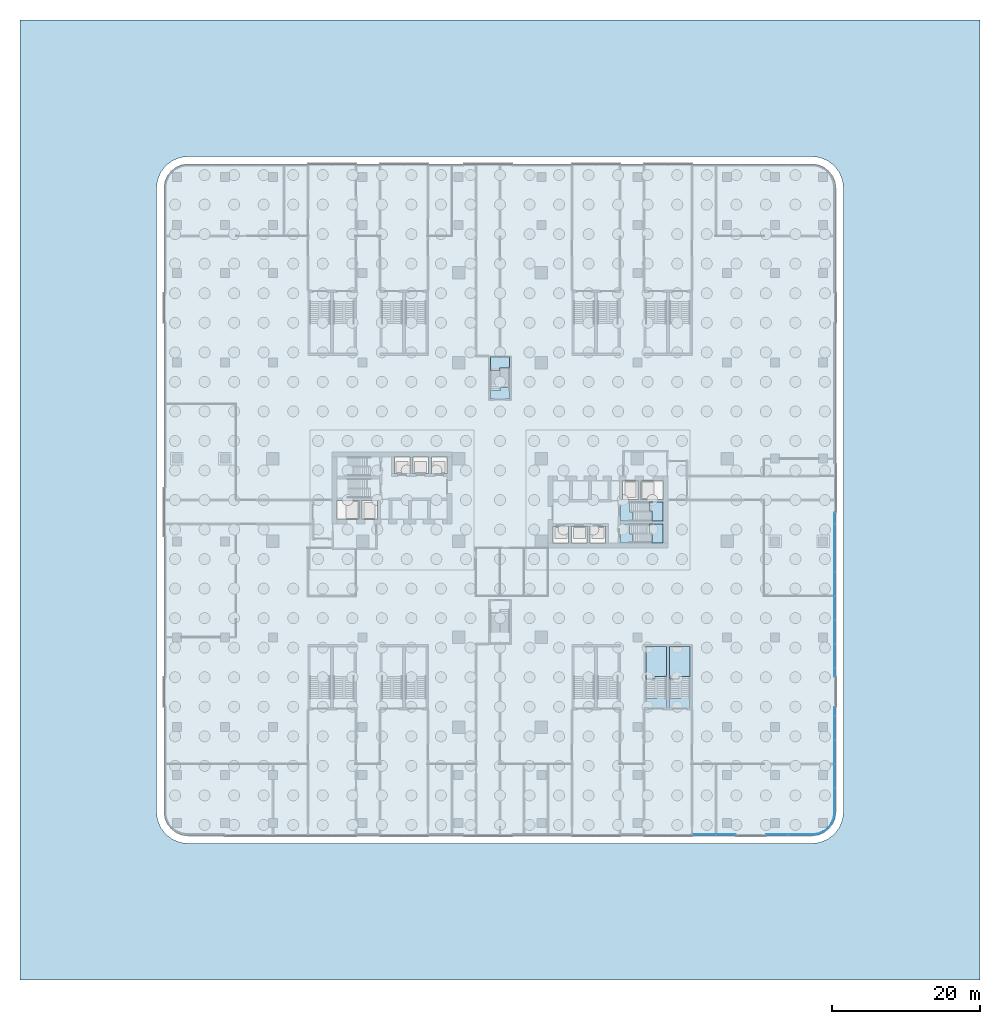
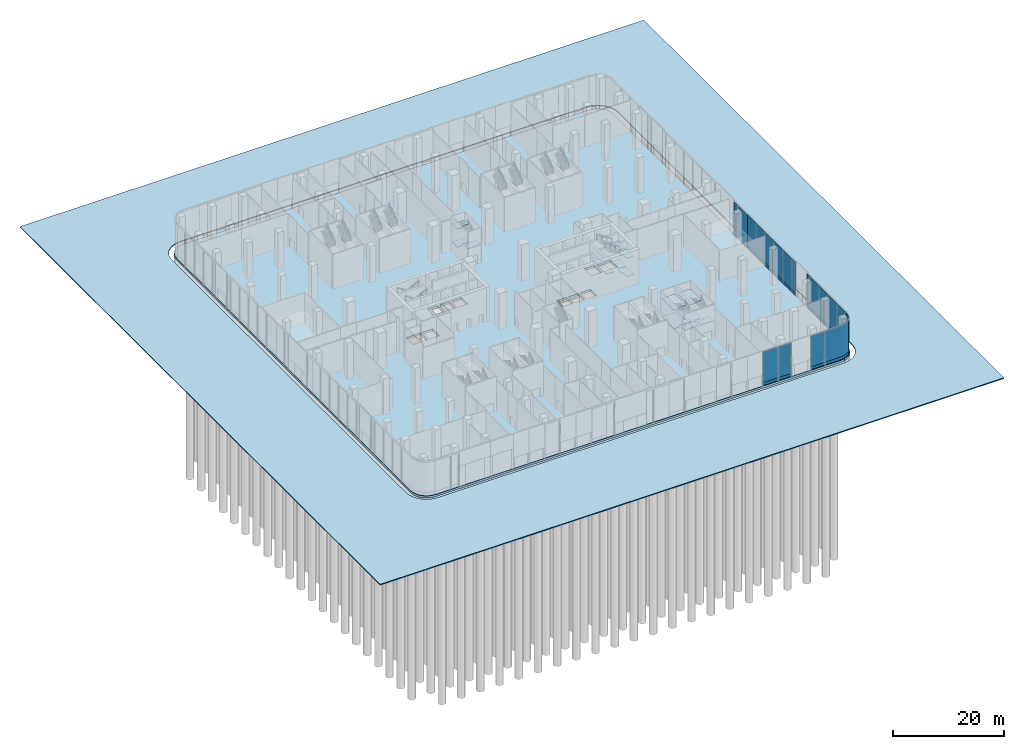
# One storey, part 14 of 27: 17 slabs, 9 plates, 10 elements without a shape of their own.
"""IFC4 building model written with IfcOpenShell, lengths in metres."""

from ifc_helpers import new_model, si_unit, direction, frame, origin, place, context, subcontext, project, spatial, polyline, outline, extrude, source, transform, mapped, material, layer, layer_set, type_object, element, aggregate, save


model = new_model("IFC4")

# Units and contexts
model_context = context("Model", 3, precision=1e-05, world=origin(), true_north=direction((0.0, 1.0)))
body_context = subcontext(model_context, "Body", "Model", "MODEL_VIEW")
ifc_project = project(units=[si_unit("LENGTHUNIT", "METRE"), si_unit("AREAUNIT", "SQUARE_METRE"), si_unit("VOLUMEUNIT", "CUBIC_METRE"), si_unit("PLANEANGLEUNIT", "RADIAN"), si_unit("MASSUNIT", "GRAM", prefix="KILO")], contexts=[model_context])

# Site, building, storey
site_placement = place(None, origin())
site = spatial("IfcSite", under=ifc_project, at=site_placement, CompositionType="ELEMENT")
building_placement = place(site_placement, origin())
building = spatial("IfcBuilding", under=site, at=building_placement, Name="Trellis Farm Tower", CompositionType="ELEMENT")
storey_placement = place(building_placement, origin())
storey = spatial("IfcBuildingStorey", under=building, at=storey_placement, Name="L00", CompositionType="ELEMENT", Elevation=0.0)

# Stair, slab
ifc_material_1 = material(Name="Concrete C50/60", Category="concrete")
stair_type_1 = type_object("IfcStairType", Name="PODIUM EXIT STAIR 48 RISERS 167 MM 1250 WIDE", PredefinedType="HALF_TURN_STAIR", material=ifc_material_1)
placement_1 = place(storey_placement, origin())
stair_1 = element("IfcStair", 1, at=placement_1, inside=storey, type_object=stair_type_1, Name="Podium exit stair STP8A", PredefinedType="HALF_TURN_STAIR")
ifc_layer_1 = layer(ifc_material_1, 0.179931640625)
ifc_layer_set_1 = layer_set([ifc_layer_1], Name="CORE STAIR LANDING 180 CONCRETE C50/60")
slab_type_1 = type_object("IfcSlabType", Name="CORE STAIR LANDING 180 CONCRETE C50/60", PredefinedType="LANDING", material=ifc_layer_set_1)
placement_2 = place(storey_placement, frame((0.0, 0.0, 3.820068359375)))
slab_1 = element("IfcSlab", 2, at=placement_2, type_object=slab_type_1, Name="STP8A landing 2", PredefinedType="LANDING", context=body_context, shape_type="SweptSolid", body=[
    extrude(outline(polyline([(22.530029296875, -28.14990234375), (19.75, -28.14990234375), (19.75, -26.89990234375), (19.75, -26.889892578125), (21.0, -26.889892578125), (21.0, -26.89990234375), (21.280029296875, -26.89990234375), (21.280029296875, -26.53759765625), (22.530029296875, -26.53759765625), (22.530029296875, -26.89990234375), (22.530029296875, -28.14990234375)])), origin(), (0.0, 0.0, 1.0), 0.179931640625),
])

stair_2 = element("IfcStair", 3, at=placement_1, inside=storey, type_object=stair_type_1, Name="Podium exit stair STP8B", PredefinedType="HALF_TURN_STAIR")
slab_2 = element("IfcSlab", 4, at=placement_2, type_object=slab_type_1, Name="STP8B landing 2", PredefinedType="LANDING", context=body_context, shape_type="SweptSolid", body=[
    extrude(outline(polyline([(25.75, -28.14990234375), (22.969970703125, -28.14990234375), (22.969970703125, -26.89990234375), (22.969970703125, -26.889892578125), (24.219970703125, -26.889892578125), (24.219970703125, -26.89990234375), (24.5, -26.89990234375), (24.5, -26.53759765625), (25.75, -26.53759765625), (25.75, -26.89990234375), (25.75, -28.14990234375)])), origin(), (0.0, 0.0, 1.0), 0.179931640625),
])

# Curtain wall, plate
ifc_material_2 = material(Name="Aluminium and glass curtain wall", Category="aluminium")
ifc_layer_2 = layer(ifc_material_2, 0.201904296875)
ifc_layer_set_2 = layer_set([ifc_layer_2], Name="SHOPFRONT CURTAIN WALL CW2")
curtain_wall_type_1 = type_object("IfcCurtainWallType", Name="SHOPFRONT CURTAIN WALL CW2", PredefinedType="NOTDEFINED", material=ifc_layer_set_2)
curtain_wall_1 = element("IfcCurtainWall", 5, at=placement_1, inside=storey, type_object=curtain_wall_type_1, Name="CW2 001", PredefinedType="NOTDEFINED")
ifc_material_3 = material(Name="Clear insulated glass", Category="glass")
ifc_layer_3 = layer(ifc_material_3, 0.052001953125)
ifc_layer_set_3 = layer_set([ifc_layer_3], Name="CW2 GLASS PANEL 52")
plate_type_1 = type_object("IfcPlateType", Name="CW2 GLASS PANEL 52", PredefinedType="CURTAIN_PANEL", material=ifc_layer_set_3)
placement_3 = place(storey_placement, frame((0.0, 0.0, 0.60009765625)))
plate_1 = element("IfcPlate", 6, at=placement_3, type_object=plate_type_1, Name="PL2 001", PredefinedType="CURTAIN_PANEL", context=body_context, shape_type="SweptSolid", body=[
    extrude(outline(polyline([(45.35009765625, -42.240234375), (45.35009765625, -28.080078125), (45.298095703125, -28.080078125), (45.298095703125, -42.23681640625), (45.35009765625, -42.240234375)])), origin(), (0.0, 0.0, 1.0), 6.7998046875),
])

curtain_wall_2 = element("IfcCurtainWall", 7, at=placement_1, inside=storey, type_object=curtain_wall_type_1, Name="CW2 002", PredefinedType="NOTDEFINED")
plate_2 = element("IfcPlate", 8, at=placement_3, type_object=plate_type_1, Name="PL2 002", PredefinedType="CURTAIN_PANEL", context=body_context, shape_type="SweptSolid", body=[
    extrude(outline(polyline([(45.35009765625, -23.919921875), (45.35009765625, -6.5), (45.298095703125, -6.5), (45.298095703125, -23.919921875), (45.35009765625, -23.919921875)])), origin(), (0.0, 0.0, 1.0), 6.7998046875),
])

curtain_wall_3 = element("IfcCurtainWall", 9, at=placement_1, inside=storey, type_object=curtain_wall_type_1, Name="CW2 020", PredefinedType="NOTDEFINED")
plate_3 = element("IfcPlate", 10, at=placement_3, type_object=plate_type_1, Name="PL2 020", PredefinedType="CURTAIN_PANEL", context=body_context, shape_type="SweptSolid", body=[
    extrude(outline(polyline([(26.080078125, -45.35009765625), (31.919921875, -45.35009765625), (31.919921875, -45.298095703125), (26.080078125, -45.298095703125), (26.080078125, -45.35009765625)])), origin(), (0.0, 0.0, 1.0), 6.7998046875),
])

curtain_wall_4 = element("IfcCurtainWall", 11, at=placement_1, inside=storey, type_object=curtain_wall_type_1, Name="CW2 021", PredefinedType="NOTDEFINED")
plate_4 = element("IfcPlate", 12, at=placement_3, type_object=plate_type_1, Name="PL2 021", PredefinedType="CURTAIN_PANEL", context=body_context, shape_type="SweptSolid", body=[
    extrude(outline(polyline([(36.080078125, -45.35009765625), (42.240234375, -45.35009765625), (43.052001953125, -45.2431640625), (43.79931640625, -44.93359375), (44.441162109375, -44.441162109375), (44.93359375, -43.79931640625), (45.2431640625, -43.052001953125), (45.35009765625, -42.240234375), (45.298095703125, -42.23681640625), (45.1923828125, -43.038330078125), (44.88818359375, -43.773193359375), (44.404052734375, -44.404052734375), (43.773193359375, -44.88818359375), (43.038330078125, -45.1923828125), (42.23681640625, -45.298095703125), (36.080078125, -45.298095703125), (36.080078125, -45.35009765625)])), origin(), (0.0, 0.0, 1.0), 6.7998046875),
])

# Plate
ifc_material_4 = material(Name="Sandstone faced insulated panel", Category="masonry")
ifc_layer_4 = layer(ifc_material_4, 0.054931640625)
ifc_layer_set_4 = layer_set([ifc_layer_4], Name="CW2 STONE SPANDREL PANEL 55")
plate_type_2 = type_object("IfcPlateType", Name="CW2 STONE SPANDREL PANEL 55", PredefinedType="CURTAIN_PANEL", material=ifc_layer_set_4)
plate_5 = element("IfcPlate", 13, at=placement_1, type_object=plate_type_2, Name="PS2 001", PredefinedType="CURTAIN_PANEL", context=body_context, shape_type="SweptSolid", body=[
    extrude(outline(polyline([(45.35009765625, -42.240234375), (45.35009765625, -28.080078125), (45.294921875, -28.080078125), (45.294921875, -42.236572265625), (45.35009765625, -42.240234375)])), origin(), (0.0, 0.0, 1.0), 0.60009765625),
])

aggregate(curtain_wall_1, [plate_1, plate_5])

plate_6 = element("IfcPlate", 14, at=placement_1, type_object=plate_type_2, Name="PS2 002", PredefinedType="CURTAIN_PANEL", context=body_context, shape_type="SweptSolid", body=[
    extrude(outline(polyline([(45.35009765625, -23.919921875), (45.35009765625, -6.5), (45.294921875, -6.5), (45.294921875, -23.919921875), (45.35009765625, -23.919921875)])), origin(), (0.0, 0.0, 1.0), 0.60009765625),
])

aggregate(curtain_wall_2, [plate_2, plate_6])

plate_7 = element("IfcPlate", 15, at=placement_1, type_object=plate_type_2, Name="PS2 020", PredefinedType="CURTAIN_PANEL", context=body_context, shape_type="SweptSolid", body=[
    extrude(outline(polyline([(26.080078125, -45.35009765625), (31.919921875, -45.35009765625), (31.919921875, -45.294921875), (26.080078125, -45.294921875), (26.080078125, -45.35009765625)])), origin(), (0.0, 0.0, 1.0), 0.60009765625),
])

aggregate(curtain_wall_3, [plate_3, plate_7])

plate_8 = element("IfcPlate", 16, at=placement_1, type_object=plate_type_2, Name="PS2 021", PredefinedType="CURTAIN_PANEL", context=body_context, shape_type="SweptSolid", body=[
    extrude(outline(polyline([(36.080078125, -45.35009765625), (42.240234375, -45.35009765625), (43.052001953125, -45.2431640625), (43.79931640625, -44.93359375), (44.441162109375, -44.441162109375), (44.93359375, -43.79931640625), (45.2431640625, -43.052001953125), (45.35009765625, -42.240234375), (45.294921875, -42.236572265625), (45.189453125, -43.03759765625), (44.885498046875, -43.771728515625), (44.40185546875, -44.40185546875), (43.771728515625, -44.885498046875), (43.03759765625, -45.189453125), (42.236572265625, -45.294921875), (36.080078125, -45.294921875), (36.080078125, -45.35009765625)])), origin(), (0.0, 0.0, 1.0), 0.60009765625),
])

aggregate(curtain_wall_4, [plate_4, plate_8])

# Curtain wall, plate
ifc_layer_5 = layer(ifc_material_2, 0.2099609375)
ifc_layer_set_5 = layer_set([ifc_layer_5], Name="LOBBY CURTAIN WALL CW4")
curtain_wall_type_2 = type_object("IfcCurtainWallType", Name="LOBBY CURTAIN WALL CW4", PredefinedType="NOTDEFINED", material=ifc_layer_set_5)
curtain_wall_5 = element("IfcCurtainWall", 17, at=placement_1, inside=storey, type_object=curtain_wall_type_2, Name="CW4 001", PredefinedType="NOTDEFINED")
ifc_layer_6 = layer(ifc_material_3, 0.06005859375)
ifc_layer_set_6 = layer_set([ifc_layer_6], Name="CW4 GLASS PANEL 60")
plate_type_3 = type_object("IfcPlateType", Name="CW4 GLASS PANEL 60", PredefinedType="CURTAIN_PANEL", material=ifc_layer_set_6)
plate_9 = element("IfcPlate", 18, at=placement_1, type_object=plate_type_3, Name="PL4 001", PredefinedType="CURTAIN_PANEL", context=body_context, shape_type="SweptSolid", body=[
    extrude(outline(polyline([(45.35009765625, -6.5), (45.35009765625, -1.72509765625), (45.2900390625, -1.72509765625), (45.2900390625, -6.5), (45.35009765625, -6.5)])), origin(), (0.0, 0.0, 1.0), 7.300048828125),
])
aggregate(curtain_wall_5, [plate_9])

# Slabs
ifc_material_5 = material(Name="Granite paving", Category="masonry")
ifc_layer_7 = layer(ifc_material_5, 0.199951171875)
ifc_layer_set_7 = layer_set([ifc_layer_7], Name="GRANITE PAVING 200")
slab_type_2 = type_object("IfcSlabType", Name="GRANITE PAVING 200", PredefinedType="USERDEFINED", material=ifc_layer_set_7)
slab_3_placement = place(storey_placement, frame((0.0, 0.0, -0.199951171875)))
element("IfcSlab", 19, at=slab_3_placement, inside=storey, type_object=slab_type_2, Name="PV1 01", ObjectType="PAVING", PredefinedType="USERDEFINED", context=body_context, shape_type="SweptSolid", body=[
    extrude(outline(polyline([(-65.0, -65.0), (-65.0, 65.0), (65.0, 65.0), (65.0, -65.0), (-65.0, -65.0)]), holes=[polyline([(46.5, 42.3154296875), (46.363525390625, 43.352294921875), (45.93798828125, 44.37939453125), (45.26123046875, 45.26123046875), (44.37939453125, 45.93798828125), (43.352294921875, 46.363525390625), (42.3154296875, 46.5), (-42.3154296875, 46.5), (-43.352294921875, 46.363525390625), (-44.37939453125, 45.93798828125), (-45.26123046875, 45.26123046875), (-45.93798828125, 44.37939453125), (-46.363525390625, 43.352294921875), (-46.5, 42.3154296875), (-46.5, -42.3154296875), (-46.363525390625, -43.352294921875), (-45.93798828125, -44.37939453125), (-45.26123046875, -45.26123046875), (-44.37939453125, -45.93798828125), (-43.352294921875, -46.363525390625), (-42.3154296875, -46.5), (42.3154296875, -46.5), (43.352294921875, -46.363525390625), (44.37939453125, -45.93798828125), (45.26123046875, -45.26123046875), (45.93798828125, -44.37939453125), (46.363525390625, -43.352294921875), (46.5, -42.3154296875), (46.5, 42.3154296875)])]), origin(), (0.0, 0.0, 1.0), 0.199951171875),
])
ifc_material_6 = material(Name="Concrete C40/50", Category="concrete")
ifc_layer_8 = layer(ifc_material_6, 0.5)
ifc_layer_set_8 = layer_set([ifc_layer_8], Name="Ground slab 500")
slab_type_3 = type_object("IfcSlabType", Name="Ground slab 500", PredefinedType="BASESLAB", material=ifc_layer_set_8)
slab_4_placement = place(storey_placement, frame((0.0, 0.0, -0.5)))
element("IfcSlab", 20, at=slab_4_placement, inside=storey, type_object=slab_type_3, Name="Ground slab", PredefinedType="BASESLAB", context=body_context, shape_type="SweptSolid", body=[
    extrude(outline(polyline([(45.389404296875, -43.09130859375), (45.064697265625, -43.875), (44.548095703125, -44.548095703125), (43.875, -45.064697265625), (43.09130859375, -45.389404296875), (42.25, -45.5), (-42.25, -45.5), (-43.09130859375, -45.389404296875), (-43.875, -45.064697265625), (-44.548095703125, -44.548095703125), (-45.064697265625, -43.875), (-45.389404296875, -43.09130859375), (-45.5, -42.25), (-45.5, 42.25), (-45.389404296875, 43.09130859375), (-45.064697265625, 43.875), (-44.548095703125, 44.548095703125), (-43.875, 45.064697265625), (-43.09130859375, 45.389404296875), (-42.25, 45.5), (42.25, 45.5), (43.09130859375, 45.389404296875), (43.875, 45.064697265625), (44.548095703125, 44.548095703125), (45.064697265625, 43.875), (45.389404296875, 43.09130859375), (45.5, 42.25), (45.5, -42.25), (45.389404296875, -43.09130859375)]), holes=[polyline([(9.300048828125, -3.60009765625), (7.199951171875, -3.60009765625), (7.199951171875, -5.800048828125), (9.300048828125, -5.800048828125), (9.300048828125, -3.60009765625)]), polyline([(11.800048828125, -3.60009765625), (9.699951171875, -3.60009765625), (9.699951171875, -5.800048828125), (11.800048828125, -5.800048828125), (11.800048828125, -3.60009765625)]), polyline([(14.300048828125, -3.60009765625), (12.199951171875, -3.60009765625), (12.199951171875, -5.800048828125), (14.300048828125, -5.800048828125), (14.300048828125, -3.60009765625)]), polyline([(-22.050048828125, -0.10009765625), (-22.050048828125, -2.550048828125), (-19.10009765625, -2.550048828125), (-19.10009765625, -0.10009765625), (-22.050048828125, -0.10009765625)]), polyline([(-18.699951171875, -0.10009765625), (-18.699951171875, -2.550048828125), (-16.60009765625, -2.550048828125), (-16.60009765625, -0.10009765625), (-18.699951171875, -0.10009765625)]), polyline([(18.699951171875, 2.550048828125), (16.60009765625, 2.550048828125), (16.60009765625, 0.10009765625), (18.699951171875, 0.10009765625), (18.699951171875, 2.550048828125)]), polyline([(22.050048828125, 2.550048828125), (19.10009765625, 2.550048828125), (19.10009765625, 0.10009765625), (22.050048828125, 0.10009765625), (22.050048828125, 2.550048828125)]), polyline([(-14.300048828125, 3.60009765625), (-12.199951171875, 3.60009765625), (-12.199951171875, 5.800048828125), (-14.300048828125, 5.800048828125), (-14.300048828125, 3.60009765625)]), polyline([(-11.800048828125, 5.800048828125), (-11.800048828125, 3.60009765625), (-9.699951171875, 3.60009765625), (-9.699951171875, 5.800048828125), (-11.800048828125, 5.800048828125)]), polyline([(-9.300048828125, 5.800048828125), (-9.300048828125, 3.60009765625), (-7.199951171875, 3.60009765625), (-7.199951171875, 5.800048828125), (-9.300048828125, 5.800048828125)])]), origin(), (0.0, 0.0, 1.0), 0.5),
])

# Stair, slabs
stair_type_2 = type_object("IfcStairType", Name="CORE EXIT STAIR 48 RISERS 167 MM", PredefinedType="HALF_TURN_STAIR", material=ifc_material_1)
stair_3 = element("IfcStair", 21, at=placement_1, inside=storey, type_object=stair_type_2, Name="Exit stair N", PredefinedType="HALF_TURN_STAIR")
shared_shape_1 = source(origin(), body_context, "Body", "SweptSolid", [
    extrude(outline(polyline([(-0.10009765625, 17.512451171875), (-1.300048828125, 17.512451171875), (-1.300048828125, 17.875), (-1.300048828125, 19.35009765625), (1.300048828125, 19.35009765625), (1.300048828125, 17.875), (1.300048828125, 17.864990234375), (0.10009765625, 17.864990234375), (0.10009765625, 17.875), (-0.10009765625, 17.875), (-0.10009765625, 17.512451171875)])), origin(), (0.0, 0.0, 1.0), 0.179931640625),
])
placement_4 = place(storey_placement, frame((0.0, 0.0, 1.820068359375)))
slab_5 = element("IfcSlab", 22, at=placement_4, type_object=slab_type_1, Name="STN landing 1", PredefinedType="LANDING", context=body_context, shape_type="MappedRepresentation", body=[
    mapped(shared_shape_1, transform((0.0, 0.0, 0.0))),
])
placement_5 = place(storey_placement, frame((0.0, 0.0, 5.820068359375)))
slab_6 = element("IfcSlab", 23, at=placement_5, type_object=slab_type_1, Name="STN landing 3", PredefinedType="LANDING", context=body_context, shape_type="MappedRepresentation", body=[
    mapped(shared_shape_1, transform((0.0, 0.0, 0.0))),
])
shared_shape_2 = source(origin(), body_context, "Body", "SweptSolid", [
    extrude(outline(polyline([(1.300048828125, 13.64990234375), (-1.300048828125, 13.64990234375), (-1.300048828125, 14.85009765625), (-1.300048828125, 14.860107421875), (-0.10009765625, 14.860107421875), (-0.10009765625, 14.85009765625), (0.10009765625, 14.85009765625), (0.10009765625, 15.21240234375), (1.300048828125, 15.21240234375), (1.300048828125, 14.85009765625), (1.300048828125, 13.64990234375)])), origin(), (0.0, 0.0, 1.0), 0.179931640625),
])
slab_7 = element("IfcSlab", 24, at=placement_2, type_object=slab_type_1, Name="STN landing 2", PredefinedType="LANDING", context=body_context, shape_type="MappedRepresentation", body=[
    mapped(shared_shape_2, transform((0.0, 0.0, 0.0))),
])
aggregate(stair_3, [slab_5, slab_7, slab_6])

stair_4 = element("IfcStair", 25, at=placement_1, inside=storey, type_object=stair_type_2, Name="Exit stair E1", PredefinedType="HALF_TURN_STAIR")
shared_shape_3 = source(origin(), body_context, "Body", "SweptSolid", [
    extrude(outline(polyline([(20.56494140625, -5.800048828125), (20.56494140625, -4.60009765625), (20.574951171875, -4.60009765625), (20.574951171875, -4.449951171875), (20.21240234375, -4.449951171875), (20.21240234375, -3.25), (20.574951171875, -3.25), (22.050048828125, -3.25), (22.050048828125, -5.800048828125), (20.574951171875, -5.800048828125), (20.56494140625, -5.800048828125)])), origin(), (0.0, 0.0, 1.0), 0.179931640625),
])
slab_8 = element("IfcSlab", 26, at=placement_4, type_object=slab_type_1, Name="STE1 landing 1", PredefinedType="LANDING", context=body_context, shape_type="MappedRepresentation", body=[
    mapped(shared_shape_3, transform((0.0, 0.0, 0.0))),
])
slab_9 = element("IfcSlab", 27, at=placement_5, type_object=slab_type_1, Name="STE1 landing 3", PredefinedType="LANDING", context=body_context, shape_type="MappedRepresentation", body=[
    mapped(shared_shape_3, transform((0.0, 0.0, 0.0))),
])
shared_shape_4 = source(origin(), body_context, "Body", "SweptSolid", [
    extrude(outline(polyline([(17.91259765625, -4.60009765625), (17.91259765625, -5.800048828125), (17.550048828125, -5.800048828125), (16.35009765625, -5.800048828125), (16.35009765625, -3.25), (17.550048828125, -3.25), (17.56005859375, -3.25), (17.56005859375, -4.449951171875), (17.550048828125, -4.449951171875), (17.550048828125, -4.60009765625), (17.91259765625, -4.60009765625)])), origin(), (0.0, 0.0, 1.0), 0.179931640625),
])
slab_10 = element("IfcSlab", 28, at=placement_2, type_object=slab_type_1, Name="STE1 landing 2", PredefinedType="LANDING", context=body_context, shape_type="MappedRepresentation", body=[
    mapped(shared_shape_4, transform((0.0, 0.0, 0.0))),
])
aggregate(stair_4, [slab_8, slab_10, slab_9])

stair_5 = element("IfcStair", 29, at=placement_1, inside=storey, type_object=stair_type_2, Name="Exit stair E2", PredefinedType="HALF_TURN_STAIR")
shared_shape_5 = source(origin(), body_context, "Body", "SweptSolid", [
    extrude(outline(polyline([(20.56494140625, -2.85009765625), (20.56494140625, -1.64990234375), (20.574951171875, -1.64990234375), (20.574951171875, -1.5), (20.21240234375, -1.5), (20.21240234375, -0.300048828125), (20.574951171875, -0.300048828125), (22.050048828125, -0.300048828125), (22.050048828125, -2.85009765625), (20.574951171875, -2.85009765625), (20.56494140625, -2.85009765625)])), origin(), (0.0, 0.0, 1.0), 0.179931640625),
])
slab_11 = element("IfcSlab", 30, at=placement_4, type_object=slab_type_1, Name="STE2 landing 1", PredefinedType="LANDING", context=body_context, shape_type="MappedRepresentation", body=[
    mapped(shared_shape_5, transform((0.0, 0.0, 0.0))),
])
slab_12 = element("IfcSlab", 31, at=placement_5, type_object=slab_type_1, Name="STE2 landing 3", PredefinedType="LANDING", context=body_context, shape_type="MappedRepresentation", body=[
    mapped(shared_shape_5, transform((0.0, 0.0, 0.0))),
])
shared_shape_6 = source(origin(), body_context, "Body", "SweptSolid", [
    extrude(outline(polyline([(17.91259765625, -1.64990234375), (17.91259765625, -2.85009765625), (17.550048828125, -2.85009765625), (16.35009765625, -2.85009765625), (16.35009765625, -0.300048828125), (17.550048828125, -0.300048828125), (17.56005859375, -0.300048828125), (17.56005859375, -1.5), (17.550048828125, -1.5), (17.550048828125, -1.64990234375), (17.91259765625, -1.64990234375)])), origin(), (0.0, 0.0, 1.0), 0.179931640625),
])
slab_13 = element("IfcSlab", 32, at=placement_2, type_object=slab_type_1, Name="STE2 landing 2", PredefinedType="LANDING", context=body_context, shape_type="MappedRepresentation", body=[
    mapped(shared_shape_6, transform((0.0, 0.0, 0.0))),
])
aggregate(stair_5, [slab_11, slab_13, slab_12])

# Slab
shared_shape_7 = source(origin(), body_context, "Body", "SweptSolid", [
    extrude(outline(polyline([(21.0, -24.237548828125), (19.75, -24.237548828125), (19.75, -23.875), (19.75, -19.85009765625), (22.530029296875, -19.85009765625), (22.530029296875, -23.875), (22.530029296875, -23.885009765625), (21.280029296875, -23.885009765625), (21.280029296875, -23.875), (21.0, -23.875), (21.0, -24.237548828125)])), origin(), (0.0, 0.0, 1.0), 0.179931640625),
])
slab_14 = element("IfcSlab", 33, at=placement_4, type_object=slab_type_1, Name="STP8A landing 1", PredefinedType="LANDING", context=body_context, shape_type="MappedRepresentation", body=[
    mapped(shared_shape_7, transform((0.0, 0.0, 0.0))),
])

slab_15 = element("IfcSlab", 34, at=placement_5, type_object=slab_type_1, Name="STP8A landing 3", PredefinedType="LANDING", context=body_context, shape_type="MappedRepresentation", body=[
    mapped(shared_shape_7, transform((0.0, 0.0, 0.0))),
])

aggregate(stair_1, [slab_14, slab_1, slab_15])

shared_shape_8 = source(origin(), body_context, "Body", "SweptSolid", [
    extrude(outline(polyline([(24.219970703125, -24.237548828125), (22.969970703125, -24.237548828125), (22.969970703125, -23.875), (22.969970703125, -19.85009765625), (25.75, -19.85009765625), (25.75, -23.875), (25.75, -23.885009765625), (24.5, -23.885009765625), (24.5, -23.875), (24.219970703125, -23.875), (24.219970703125, -24.237548828125)])), origin(), (0.0, 0.0, 1.0), 0.179931640625),
])
slab_16 = element("IfcSlab", 35, at=placement_4, type_object=slab_type_1, Name="STP8B landing 1", PredefinedType="LANDING", context=body_context, shape_type="MappedRepresentation", body=[
    mapped(shared_shape_8, transform((0.0, 0.0, 0.0))),
])

slab_17 = element("IfcSlab", 36, at=placement_5, type_object=slab_type_1, Name="STP8B landing 3", PredefinedType="LANDING", context=body_context, shape_type="MappedRepresentation", body=[
    mapped(shared_shape_8, transform((0.0, 0.0, 0.0))),
])

aggregate(stair_2, [slab_16, slab_2, slab_17])

save(model, "model.ifc")
